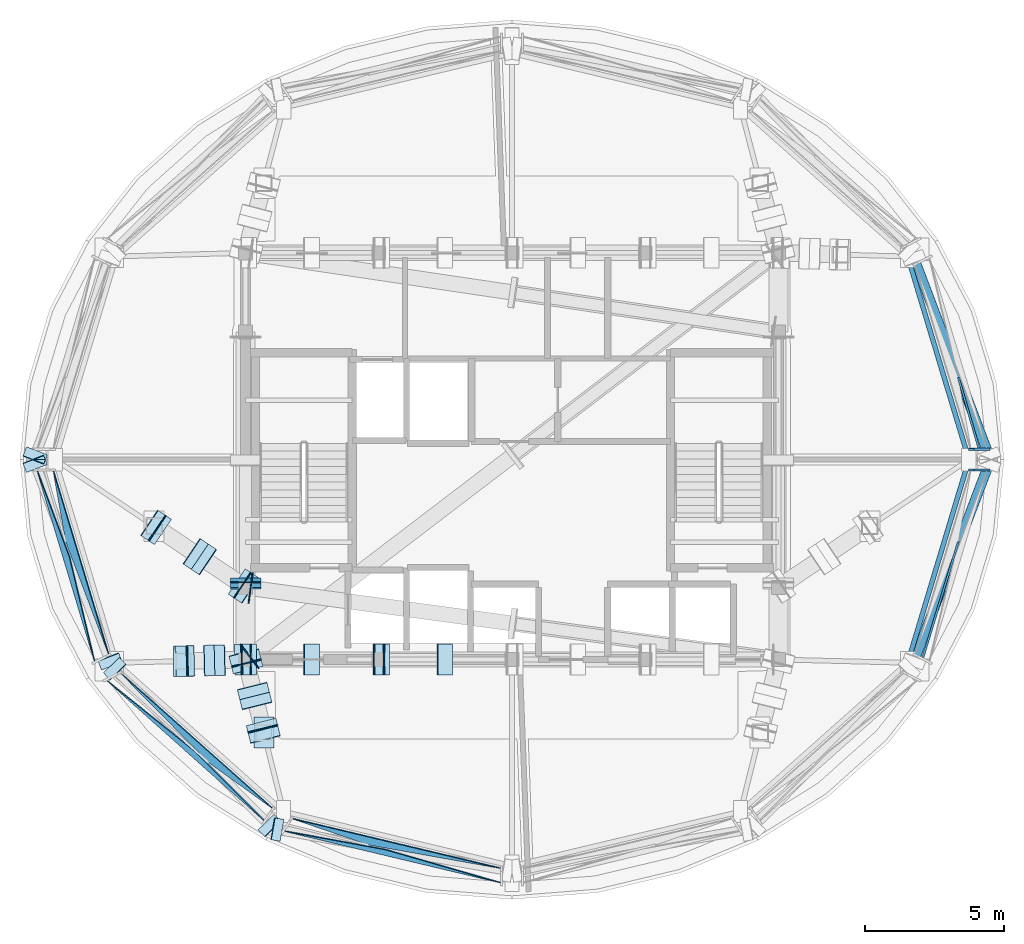
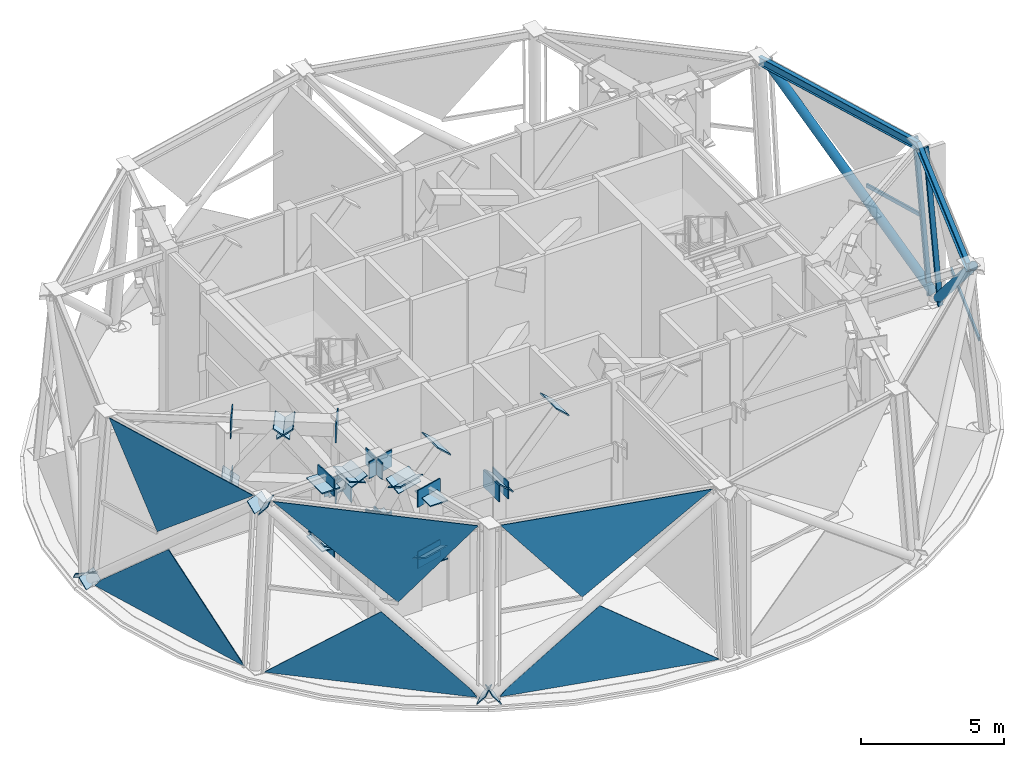
# One storey, part 4 of 12: 51 plates, 6 members, 2 beams, 5 elements without a shape of their own.
"""IFC4 building model written with IfcOpenShell, lengths in metres."""

from ifc_helpers import new_model, si_unit, direction, frame, origin, origin_2d, place, context, subcontext, project, spatial, polyline, rectangle, hollow_rectangle, hollow_circle, i_section, outline, extrude, material, layer, layer_set, material_profile, profile_set, type_object, element, aggregate, save


model = new_model("IFC4")

# Units and contexts
model_context = context("Model", 3, precision=1e-05, world=origin(), true_north=direction((0.0, 1.0)))
body_context = subcontext(model_context, "Body", "Model", "MODEL_VIEW")
ifc_project = project(units=[si_unit("LENGTHUNIT", "METRE"), si_unit("AREAUNIT", "SQUARE_METRE"), si_unit("VOLUMEUNIT", "CUBIC_METRE"), si_unit("PLANEANGLEUNIT", "RADIAN"), si_unit("MASSUNIT", "GRAM", prefix="KILO")], contexts=[model_context])

# Site, building, storey
site_placement = place(None, origin())
site = spatial("IfcSite", under=ifc_project, at=site_placement, CompositionType="ELEMENT")
building_placement = place(site_placement, origin())
building = spatial("IfcBuilding", under=site, at=building_placement, Name="Vantalir Tower", CompositionType="ELEMENT")
storey_placement = place(building_placement, frame((0.0, 0.0, 304.5)))
storey = spatial("IfcBuildingStorey", under=building, at=storey_placement, Name="L76", CompositionType="ELEMENT", Elevation=304.5)

# Beams
ifc_material_1 = material(Name="Steel S460", Category="steel")
ifc_material_profile_1 = material_profile(ifc_material_1, i_section(OverallWidth=0.172119140625, OverallDepth=0.35791015625, WebThickness=0.008056640625, FlangeThickness=0.012939453125, at=origin_2d()), Name="Steel S460")
ifc_profile_set_1 = profile_set([ifc_material_profile_1], Name="Steel S460")
beam_type = type_object("IfcBeamType", Name="BM-RB-356x171", PredefinedType="BEAM", material=ifc_profile_set_1)
for number, where, z_axis, x_axis, name in (
    (1, (47.962890625, 25.0, 6.89111328125), (-0.288522484145, 0.957473120324, 0.0), (-0.957473120324, -0.288522484145, 0.0), "L76 Circumferential Ring Girder 01"),
    (2, (45.757080078125, 17.679931640625, 6.89111328125), (0.288522484145, 0.957473120324, 0.0), (-0.957473120324, 0.288522484145, 0.0), "L76 Circumferential Ring Girder 12"),
):
    element("IfcBeam", number, at=place(storey_placement, frame(where, z_axis=z_axis, x_axis=x_axis)), inside=storey, type_object=beam_type, Name=name, PredefinedType="BEAM", context=body_context, shape_type="SweptSolid", body=[
        extrude(i_section(OverallWidth=0.172119140625, OverallDepth=0.35791015625, WebThickness=0.008056640625, FlangeThickness=0.012939453125, at=origin_2d()), origin(), (0.0, 0.0, 1.0), 7.645263671875),
    ])

# Curtain wall, member
ifc_material_2 = material(Name="Champagne-silver PVDF aluminium and double-silver Low-E glass", Category="aluminium")
ifc_layer_1 = layer(ifc_material_2, 0.25)
ifc_layer_set_1 = layer_set([ifc_layer_1], Name="Champagne-silver PVDF aluminium and double-silver Low-E glass")
curtain_wall_type = type_object("IfcCurtainWallType", Name="CW-CROWN-PT", PredefinedType="USERDEFINED", material=ifc_layer_set_1)
curtain_wall_1_placement = place(storey_placement, origin())
curtain_wall_1 = element("IfcCurtainWall", 3, at=curtain_wall_1_placement, inside=storey, type_object=curtain_wall_type, Name="L76 Quilted Pyramid-Diamond Curtain Wall S01", ObjectType="UNITISED CURTAIN WALL", PredefinedType="USERDEFINED")
ifc_material_3 = material(Name="Champagne-silver PVDF aluminium 6063-T6", Category="aluminium")
ifc_material_profile_2 = material_profile(ifc_material_3, hollow_rectangle(XDim=0.080078125, YDim=0.199951171875, WallThickness=0.0048828125, at=origin_2d()), Name="Champagne-silver PVDF aluminium 6063-T6")
ifc_profile_set_2 = profile_set([ifc_material_profile_2], Name="Champagne-silver PVDF aluminium 6063-T6")
member_type_1 = type_object("IfcMemberType", Name="CWM-200x80", PredefinedType="MULLION", material=ifc_profile_set_2)
member_1_placement = place(storey_placement, frame((48.6279296875, 25.373046875, 0.044921875), z_axis=(-0.083789655369, 0.0, 0.996483463813), x_axis=(0.0, -1.0, 0.0)))
member_1 = element("IfcMember", 4, at=member_1_placement, type_object=member_type_1, Name="CW-L76-S01 Mullion 1", PredefinedType="MULLION", context=body_context, shape_type="SweptSolid", body=[
    extrude(hollow_rectangle(XDim=0.080078125, YDim=0.199951171875, WallThickness=0.0048828125, at=origin_2d()), origin(), (0.0, 0.0, 1.0), 7.004638671875),
])

curtain_wall_2_placement = place(storey_placement, origin())
curtain_wall_2 = element("IfcCurtainWall", 5, at=curtain_wall_2_placement, inside=storey, type_object=curtain_wall_type, Name="L76 Quilted Pyramid-Diamond Curtain Wall S12", ObjectType="UNITISED CURTAIN WALL", PredefinedType="USERDEFINED")
member_2_placement = place(storey_placement, frame((48.6279296875, 24.626953125, 0.044921875), z_axis=(-0.083789655369, 0.0, 0.996483463813), x_axis=(0.0, -1.0, 0.0)))
member_2 = element("IfcMember", 6, at=member_2_placement, type_object=member_type_1, Name="CW-L76-S12 Mullion 2", PredefinedType="MULLION", context=body_context, shape_type="SweptSolid", body=[
    extrude(hollow_rectangle(XDim=0.080078125, YDim=0.199951171875, WallThickness=0.0048828125, at=origin_2d()), origin(), (0.0, 0.0, 1.0), 7.004638671875),
])

# Member
ifc_material_profile_3 = material_profile(ifc_material_3, hollow_rectangle(XDim=0.074951171875, YDim=0.159912109375, WallThickness=0.00390625, at=origin_2d()), Name="Champagne-silver PVDF aluminium 6063-T6")
ifc_profile_set_3 = profile_set([ifc_material_profile_3], Name="Champagne-silver PVDF aluminium 6063-T6")
member_type_2 = type_object("IfcMemberType", Name="CWT-160x75", PredefinedType="USERDEFINED", material=ifc_profile_set_3)
member_3_placement = place(storey_placement, frame((48.333984375, 25.373046875, 3.534912109375), z_axis=(-0.279693916572, 0.960089221392, 0.0), x_axis=(-0.960089221392, -0.279693916572, 0.0)))
member_3 = element("IfcMember", 7, at=member_3_placement, type_object=member_type_2, Name="CW-L76-S01 Pyramid Fold Ridge Transom", ObjectType="TRANSOM", PredefinedType="USERDEFINED", context=body_context, shape_type="SweptSolid", body=[
    extrude(hollow_rectangle(XDim=0.074951171875, YDim=0.159912109375, WallThickness=0.00390625, at=origin_2d()), origin(), (0.0, 0.0, 1.0), 2.695556640625),
])

aggregate(curtain_wall_1, [member_1, member_3])

member_4_placement = place(storey_placement, frame((46.2880859375, 17.826904296875, 3.534912109375), z_axis=(0.293244658179, 0.956037431511, 0.0), x_axis=(-0.956037431511, 0.293244658179, 0.0)))
member_4 = element("IfcMember", 8, at=member_4_placement, type_object=member_type_2, Name="CW-L76-S12 Pyramid Fold Ridge Transom", ObjectType="TRANSOM", PredefinedType="USERDEFINED", context=body_context, shape_type="SweptSolid", body=[
    extrude(hollow_rectangle(XDim=0.074951171875, YDim=0.159912109375, WallThickness=0.00390625, at=origin_2d()), origin(), (0.0, 0.0, 1.0), 4.40576171875),
])

aggregate(curtain_wall_2, [member_2, member_4])

# Members
ifc_material_profile_4 = material_profile(ifc_material_1, hollow_circle(Radius=0.177490234375, WallThickness=0.02001953125, at=origin_2d()), Name="Steel S460")
ifc_profile_set_4 = profile_set([ifc_material_profile_4], Name="Steel S460")
member_type_3 = type_object("IfcMemberType", Name="MEM-DB-355x20", PredefinedType="BRACE", material=ifc_profile_set_4)
for number, where, z_axis, x_axis, name in (
    (9, (48.680908203125, 25.155029296875, 0.22509765625), (-0.267869695363, 0.704904952931, 0.656776090947), (-0.934781020776, -0.355224496899, 0.0), "L76 CROWN FRAME Diagrid Brace R01L"),
    (10, (48.680908203125, 24.844970703125, 0.22509765625), (-0.267869695363, -0.704904952931, 0.656776090947), (0.934781020776, -0.355224496899, 0.0), "L76 CROWN FRAME Diagrid Brace R01R"),
):
    element("IfcMember", number, at=place(storey_placement, frame(where, z_axis=z_axis, x_axis=x_axis)), inside=storey, type_object=member_type_3, Name=name, PredefinedType="BRACE", context=body_context, shape_type="SweptSolid", body=[
        extrude(hollow_circle(Radius=0.177490234375, WallThickness=0.02001953125, at=origin_2d()), origin(), (0.0, 0.0, 1.0), 10.079345703125),
    ])

# Curtain wall, plates
curtain_wall_3_placement = place(storey_placement, origin())
curtain_wall_3 = element("IfcCurtainWall", 11, at=curtain_wall_3_placement, inside=storey, type_object=curtain_wall_type, Name="L76 Quilted Pyramid-Diamond Curtain Wall S07", ObjectType="UNITISED CURTAIN WALL", PredefinedType="USERDEFINED")
ifc_material_4 = material(Name="Faceted crown Low-E glass IGU", Category="glass")
ifc_layer_2 = layer(ifc_material_4, 0.033935546875)
ifc_layer_set_2 = layer_set([ifc_layer_2], Name="Faceted crown Low-E glass IGU")
plate_type_1 = type_object("IfcPlateType", Name="CWP-IGU-CRN-34", PredefinedType="CURTAIN_PANEL", material=ifc_layer_set_2)
plate_1_placement = place(storey_placement, frame((14.376708984375, 24.613037109375, 0.050048828125), z_axis=(-0.954997413284, -0.287364744972, 0.073494516587), x_axis=(0.288136892091, -0.957589223669, -0.0001006392)))
plate_1 = element("IfcPlate", 12, at=plate_1_placement, type_object=plate_type_1, Name="CW-L76-S07 Pyramid Diamond Facet 1L", PredefinedType="CURTAIN_PANEL", context=body_context, shape_type="SweptSolid", body=[
    extrude(outline(polyline([(0.0, 0.0), (7.208580734828691, -2.7647155398380363e-17), (3.33433636468784, 3.0368687363441875), (0.3031407747718152, 0.3809505128534992), (0.0, 0.0)])), origin(), (0.0, 0.0, -1.0), 0.033935546875),
])
plate_2_placement = place(storey_placement, frame((16.961181640625, 17.97216796875, 7.0205078125), z_axis=(-0.953955181381, -0.287043198554, 0.087038578116), x_axis=(-0.288145528503, 0.957586624411, -0.000105612289)))
plate_2 = element("IfcPlate", 13, at=plate_2_placement, type_object=plate_type_1, Name="CW-L76-S07 Pyramid Diamond Facet 2U", PredefinedType="CURTAIN_PANEL", context=body_context, shape_type="SweptSolid", body=[
    extrude(outline(polyline([(0.0, 0.0), (6.935006161675333, -3.686287386450715e-18), (4.33480791923501, 3.483710359966153), (0.0, 0.0)])), origin(), (0.0, 0.0, -1.0), 0.033935546875),
])
aggregate(curtain_wall_3, [plate_1, plate_2])

curtain_wall_4_placement = place(storey_placement, origin())
curtain_wall_4 = element("IfcCurtainWall", 14, at=curtain_wall_4_placement, inside=storey, type_object=curtain_wall_type, Name="L76 Quilted Pyramid-Diamond Curtain Wall S08", ObjectType="UNITISED CURTAIN WALL", PredefinedType="USERDEFINED")
plate_3_placement = place(storey_placement, frame((16.872314453125, 17.05419921875, 0.049072265625), z_axis=(-0.663493878965, -0.744952634524, 0.069436625004), x_axis=(0.746759466525, -0.6650941963, 9.5934364e-05)))
plate_3 = element("IfcPlate", 15, at=plate_3_placement, type_object=plate_type_1, Name="CW-L76-S08 Pyramid Diamond Facet 1L", PredefinedType="CURTAIN_PANEL", context=body_context, shape_type="SweptSolid", body=[
    extrude(outline(polyline([(0.0, 0.0), (7.641079914454455, 2.0274580625478933e-17), (7.351139923939033, 0.348769389270973), (4.150008697434218, 3.040388159549212), (0.0, 0.0)])), origin(), (0.0, 0.0, -1.0), 0.033935546875),
])
plate_4_placement = place(storey_placement, frame((22.870849609375, 12.425537109375, 7.020263671875), z_axis=(-0.662766432912, -0.74420598863, 0.083054812582), x_axis=(-0.74678246686, 0.665068374515, 6.6407227e-05)))
plate_4 = element("IfcPlate", 16, at=plate_4_placement, type_object=plate_type_1, Name="CW-L76-S08 Pyramid Diamond Facet 2U", PredefinedType="CURTAIN_PANEL", context=body_context, shape_type="SweptSolid", body=[
    extrude(outline(polyline([(0.0, 0.0), (7.352833041139266, -3.458604930228759e-17), (2.808689742275363, 3.4829232177288705), (0.0, 0.0)])), origin(), (0.0, 0.0, -1.0), 0.033935546875),
])
aggregate(curtain_wall_4, [plate_3, plate_4])

curtain_wall_5_placement = place(storey_placement, origin())
curtain_wall_5 = element("IfcCurtainWall", 17, at=curtain_wall_5_placement, inside=storey, type_object=curtain_wall_type, Name="L76 Quilted Pyramid-Diamond Curtain Wall S09", ObjectType="UNITISED CURTAIN WALL", PredefinedType="USERDEFINED")
plate_5_placement = place(storey_placement, frame((23.2734375, 11.609375, 0.049560546875), z_axis=(-0.231602660669, -0.970565018604, 0.066058702936), x_axis=(0.972688241841, -0.232115437018, -8.989938e-05)))
plate_5 = element("IfcPlate", 18, at=plate_5_placement, type_object=plate_type_1, Name="CW-L76-S09 Pyramid Diamond Facet 1L", PredefinedType="CURTAIN_PANEL", context=body_context, shape_type="SweptSolid", body=[
    extrude(outline(polyline([(0.0, 0.0), (8.053168529048223, -8.673617379884035e-19), (3.716750632867985, 3.039443789414845), (0.2773858312166678, 0.3124835089575333), (0.0, 0.0)])), origin(), (0.0, 0.0, -1.0), 0.033935546875),
])
plate_6_placement = place(storey_placement, frame((31.1064453125, 10.263671875, 7.02099609375), z_axis=(-0.231351826003, -0.969610861897, 0.079568266897), x_axis=(-0.972696615583, 0.232080341921, -9.448243e-05)))
plate_6 = element("IfcPlate", 19, at=plate_6_placement, type_object=plate_type_1, Name="CW-L76-S09 Pyramid Diamond Facet 2U", PredefinedType="CURTAIN_PANEL", context=body_context, shape_type="SweptSolid", body=[
    extrude(outline(polyline([(0.0, 0.0), (7.751937327965951, -1.8214596497756474e-17), (4.84139455748498, 3.482263072949367), (0.0, 0.0)])), origin(), (0.0, 0.0, -1.0), 0.033935546875),
])
aggregate(curtain_wall_5, [plate_5, plate_6])

# Plates
ifc_layer_3 = layer(ifc_material_1, 0.044921875)
ifc_layer_set_3 = layer_set([ifc_layer_3], Name="Steel S460")
plate_type_2 = type_object("IfcPlateType", Name="PLT-BN-01", PredefinedType="USERDEFINED", material=ifc_layer_set_3)
for number, where, z_axis, x_axis, name in (
    (20, (22.0849609375, 17.800048828125, 3.83984375), (0.0, 0.0, 1.0), (1.0, 0.0, 0.0), "Node Cap Plate MEM-L76-BTCB-01 Start"),
    (21, (26.514892578125, 17.800048828125, 3.83984375), (0.0, 0.0, 1.0), (1.0, 0.0, 0.0), "Node Cap Plate MEM-L76-BTCB-01 End"),
):
    element("IfcPlate", number, at=place(storey_placement, frame(where, z_axis=z_axis, x_axis=x_axis)), inside=storey, type_object=plate_type_2, Name=name, ObjectType="FLANGE_PLATE", PredefinedType="USERDEFINED", context=body_context, shape_type="SweptSolid", body=[
        extrude(rectangle(XDim=0.044921875, YDim=1.10009765625, at=origin_2d()), origin(), (0.0, 0.0, 1.0), 0.719970703125),
    ])
plate_7_placement = place(storey_placement, frame((22.29248046875, 17.25, 4.095458984375), z_axis=(0.675402139581, 0.0, 0.737449625296), x_axis=(0.0, 1.0, 0.0)))
element("IfcPlate", 22, at=plate_7_placement, inside=storey, type_object=plate_type_2, Name="Node Cap Plate MEM-L76-BTDG-01A Start", ObjectType="FLANGE_PLATE", PredefinedType="USERDEFINED", context=body_context, shape_type="SweptSolid", body=[
    extrude(outline(polyline([(0.0, 0.0), (1.10009765625, 0.0), (1.10009765625, 0.720057128189561), (0.0, 0.720057128189561), (0.0, 0.0)])), origin(), (0.0, 0.0, -1.0), 0.044921875),
])
plate_8_placement = place(storey_placement, frame((24.556640625, 17.25, 6.567138671875), z_axis=(0.675571040077, 0.0, 0.737294900165), x_axis=(0.0, 1.0, 0.0)))
element("IfcPlate", 23, at=plate_8_placement, inside=storey, type_object=plate_type_2, Name="Node Cap Plate MEM-L76-BTDG-01A End", ObjectType="FLANGE_PLATE", PredefinedType="USERDEFINED", context=body_context, shape_type="SweptSolid", body=[
    extrude(outline(polyline([(0.0, 0.0), (1.10009765625, 0.0), (1.10009765625, 0.719877105662119), (0.0, 0.719877105662119), (0.0, 0.0)])), origin(), (0.0, 0.0, -1.0), 0.044921875),
])
plate_9_placement = place(storey_placement, frame((26.885009765625, 17.800048828125, 3.83984375), z_axis=(0.0, 0.0, 1.0), x_axis=(1.0, 0.0, 0.0)))
element("IfcPlate", 24, at=plate_9_placement, inside=storey, type_object=plate_type_2, Name="Node Cap Plate MEM-L76-BTCB-02 Start", ObjectType="FLANGE_PLATE", PredefinedType="USERDEFINED", context=body_context, shape_type="SweptSolid", body=[
    extrude(rectangle(XDim=0.044921875, YDim=1.10009765625, at=origin_2d()), origin(), (0.0, 0.0, 1.0), 0.719970703125),
])
for number, where, z_axis, x_axis, name in (
    (25, (27.092529296875, 17.25, 4.095458984375), (0.675402139581, 0.0, 0.737449625296), (0.0, 1.0, 0.0), "Node Cap Plate MEM-L76-BTDG-02A Start"),
    (26, (29.356689453125, 17.25, 6.567138671875), (0.675402139581, 0.0, 0.737449625296), (0.0, 1.0, 0.0), "Node Cap Plate MEM-L76-BTDG-02A End"),
):
    element("IfcPlate", number, at=place(storey_placement, frame(where, z_axis=z_axis, x_axis=x_axis)), inside=storey, type_object=plate_type_2, Name=name, ObjectType="FLANGE_PLATE", PredefinedType="USERDEFINED", context=body_context, shape_type="SweptSolid", body=[
        extrude(outline(polyline([(0.0, 0.0), (1.10009765625, 0.0), (1.10009765625, 0.720057128189561), (0.0, 0.720057128189561), (0.0, 0.0)])), origin(), (0.0, 0.0, -1.0), 0.044921875),
    ])
for number, where, z_axis, x_axis, name in (
    (27, (22.0830078125, 20.375, 3.83984375), (0.0, 0.0, 1.0), (-0.990955115979, 0.134193733514, 0.0), "Node Cap Plate MEM-L76-BTCB-05 End"),
    (28, (21.89990234375, 20.5849609375, 3.83984375), (0.0, 0.0, 1.0), (0.0, 1.0, 0.0), "Node Cap Plate MEM-L76-BTCB-06 Start"),
):
    element("IfcPlate", number, at=place(storey_placement, frame(where, z_axis=z_axis, x_axis=x_axis)), inside=storey, type_object=plate_type_2, Name=name, ObjectType="FLANGE_PLATE", PredefinedType="USERDEFINED", context=body_context, shape_type="SweptSolid", body=[
        extrude(rectangle(XDim=0.044921875, YDim=1.10009765625, at=origin_2d()), origin(), (0.0, 0.0, 1.0), 0.719970703125),
    ])
plate_10_placement = place(storey_placement, frame((22.449951171875, 20.741455078125, 3.980224609375), z_axis=(0.0, 0.869055760291, 0.494714145245), x_axis=(-1.0, 0.0, 0.0)))
element("IfcPlate", 29, at=plate_10_placement, inside=storey, type_object=plate_type_2, Name="Node Cap Plate MEM-L76-BTDG-06A Start", ObjectType="FLANGE_PLATE", PredefinedType="USERDEFINED", context=body_context, shape_type="SweptSolid", body=[
    extrude(outline(polyline([(0.0, 0.0), (1.099853515625, 0.0), (1.099853515625, 0.7200141239105495), (0.0, 0.7200141239105495), (0.0, 0.0)])), origin(), (0.0, 0.0, -1.0), 0.044921875),
])
for number, where, z_axis, x_axis, name in (
    (30, (22.047119140625, 17.912109375, 3.83984375), (0.0, 0.0, 1.0), (-0.795007880656, -0.606599101298, 0.0), "Node Cap Plate MEM-L76-BTCB-14 End"),
    (31, (21.7880859375, 20.47509765625, 3.83984375), (0.0, 0.0, 1.0), (-0.83065421052, 0.556788633636, 0.0), "Node Cap Plate MEM-L76-ORCB-05 Start"),
    (32, (18.718017578125, 22.532958984375, 3.83984375), (0.0, 0.0, 1.0), (-0.83065421052, 0.556788633636, 0.0), "Node Cap Plate MEM-L76-ORCB-05 End"),
    (33, (21.7880859375, 20.47509765625, 6.4599609375), (0.0, 0.0, 1.0), (-0.83065421052, 0.556788633636, 0.0), "Node Cap Plate MEM-L76-ORCT-05 Start"),
    (34, (18.718017578125, 22.532958984375, 6.4599609375), (0.0, 0.0, 1.0), (-0.83065421052, 0.556788633636, 0.0), "Node Cap Plate MEM-L76-ORCT-05 End"),
):
    element("IfcPlate", number, at=place(storey_placement, frame(where, z_axis=z_axis, x_axis=x_axis)), inside=storey, type_object=plate_type_2, Name=name, ObjectType="FLANGE_PLATE", PredefinedType="USERDEFINED", context=body_context, shape_type="SweptSolid", body=[
        extrude(rectangle(XDim=0.044921875, YDim=1.10009765625, at=origin_2d()), origin(), (0.0, 0.0, 1.0), 0.719970703125),
    ])
plate_11_placement = place(storey_placement, frame((21.888671875, 21.06982421875, 4.108642578125), z_axis=(-0.501330642976, 0.336095813822, 0.797312479737), x_axis=(-0.55681683448, -0.83063530623, 2.9734373e-05)))
element("IfcPlate", 35, at=plate_11_placement, inside=storey, type_object=plate_type_2, Name="Node Cap Plate MEM-L76-ORDG-05A Start", ObjectType="FLANGE_PLATE", PredefinedType="USERDEFINED", context=body_context, shape_type="SweptSolid", body=[
    extrude(outline(polyline([(0.0, 0.0), (1.100127292218899, 5.551115123125783e-17), (1.1001007456611454, 0.719949548924691), (0.00017624526505670467, 0.7200579332275001), (0.0, 0.0)])), origin(), (0.0, 0.0, -1.0), 0.044921875),
])
plate_12_placement = place(storey_placement, frame((20.3623046875, 22.0927734375, 6.53662109375), z_axis=(-0.501126219732, 0.335891816218, 0.797526927254), x_axis=(-0.556756831247, -0.830675526692, 1.4626711e-05)))
element("IfcPlate", 36, at=plate_12_placement, inside=storey, type_object=plate_type_2, Name="Node Cap Plate MEM-L76-ORDG-05A End", ObjectType="FLANGE_PLATE", PredefinedType="USERDEFINED", context=body_context, shape_type="SweptSolid", body=[
    extrude(outline(polyline([(0.0, 0.0), (1.0997885629030284, -5.551115123125783e-17), (1.0999997126737349, 0.7199106069698338), (-0.00012757883230612456, 0.7199639443180558), (0.0, 0.0)])), origin(), (0.0, 0.0, -1.0), 0.044921875),
])
plate_13_placement = place(storey_placement, frame((20.1435546875, 20.915283203125, 6.53662109375), z_axis=(0.501151543343, -0.335975744088, 0.797475661064), x_axis=(0.556882105427, 0.830591548098, -2.9735315e-05)))
element("IfcPlate", 37, at=plate_13_placement, inside=storey, type_object=plate_type_2, Name="Node Cap Plate MEM-L76-ORDG-05B Start", ObjectType="FLANGE_PLATE", PredefinedType="USERDEFINED", context=body_context, shape_type="SweptSolid", body=[
    extrude(outline(polyline([(0.0, 0.0), (1.0999245057366187, 0.0), (1.1000297979691611, 0.7199106293493971), (-9.748890712982225e-05, 0.7198022028779472), (0.0, 0.0)])), origin(), (0.0, 0.0, -1.0), 0.044921875),
])
plate_14_placement = place(storey_placement, frame((18.617431640625, 21.938232421875, 4.108642578125), z_axis=(0.501363821888, -0.336006184132, 0.797329393869), x_axis=(0.556770247127, 0.830666533542, -4.4356563e-05)))
element("IfcPlate", 38, at=plate_14_placement, inside=storey, type_object=plate_type_2, Name="Node Cap Plate MEM-L76-ORDG-05B End", ObjectType="FLANGE_PLATE", PredefinedType="USERDEFINED", context=body_context, shape_type="SweptSolid", body=[
    extrude(outline(polyline([(0.0, 0.0), (1.1001272912815532, 0.0), (1.0999648095528864, 0.7201112418133824), (-2.6551492551763306e-05, 0.7199495474921868), (0.0, 0.0)])), origin(), (0.0, 0.0, -1.0), 0.044921875),
])
for number, where, z_axis, x_axis, name in (
    (39, (21.764892578125, 17.7958984375, 3.83984375), (0.0, 0.0, 1.0), (-0.999663238605, -0.025950132584, 0.0), "Node Cap Plate MEM-L76-ORCB-06 Start"),
    (40, (19.800048828125, 17.74609375, 3.83984375), (0.0, 0.0, 1.0), (-0.999663238605, -0.025950132584, 0.0), "Node Cap Plate MEM-L76-ORCB-06 End"),
    (41, (21.764892578125, 17.7958984375, 6.4599609375), (0.0, 0.0, 1.0), (-0.999663238605, -0.025950132584, 0.0), "Node Cap Plate MEM-L76-ORCT-06 Start"),
    (42, (19.800048828125, 17.74609375, 6.4599609375), (0.0, 0.0, 1.0), (-0.999663238605, -0.025950132584, 0.0), "Node Cap Plate MEM-L76-ORCT-06 End"),
):
    element("IfcPlate", number, at=place(storey_placement, frame(where, z_axis=z_axis, x_axis=x_axis)), inside=storey, type_object=plate_type_2, Name=name, ObjectType="FLANGE_PLATE", PredefinedType="USERDEFINED", context=body_context, shape_type="SweptSolid", body=[
        extrude(rectangle(XDim=0.044921875, YDim=1.10009765625, at=origin_2d()), origin(), (0.0, 0.0, 1.0), 0.719970703125),
    ])
plate_15_placement = place(storey_placement, frame((21.49267578125, 18.339599609375, 4.2041015625), z_axis=(-0.392161426193, -0.010187141844, 0.919840006712), x_axis=(0.02596814924, -0.999662770751, 0.0)))
element("IfcPlate", 43, at=plate_15_placement, inside=storey, type_object=plate_type_2, Name="Node Cap Plate MEM-L76-ORDG-06A Start", ObjectType="FLANGE_PLATE", PredefinedType="USERDEFINED", context=body_context, shape_type="SweptSolid", body=[
    extrude(outline(polyline([(0.0, 0.0), (1.0999803205377001, 0.0), (1.1000899950462097, 0.7200490075805425), (0.00010967450850976914, 0.7200490075805425), (0.0, 0.0)])), origin(), (0.0, 0.0, -1.0), 0.044921875),
])
for number, where, z_axis, x_axis, name in (
    (44, (20.4697265625, 18.31298828125, 6.602294921875), (-0.392444976186, -0.010194507596, 0.919718985713), (0.02596814924, -0.999662770751, 0.0), "Node Cap Plate MEM-L76-ORDG-06A End"),
    (45, (21.09521484375, 17.22900390625, 6.602294921875), (0.392444976186, 0.010194507596, 0.919718985713), (-0.02596814924, 0.999662770751, 0.0), "Node Cap Plate MEM-L76-ORDG-06B Start"),
):
    element("IfcPlate", number, at=place(storey_placement, frame(where, z_axis=z_axis, x_axis=x_axis)), inside=storey, type_object=plate_type_2, Name=name, ObjectType="FLANGE_PLATE", PredefinedType="USERDEFINED", context=body_context, shape_type="SweptSolid", body=[
        extrude(outline(polyline([(0.0, 0.0), (1.0999803205377001, -3.469446951953614e-18), (1.0998459367525695, 0.7201506483332419), (-0.00013438378513054526, 0.720150648333242), (0.0, 0.0)])), origin(), (0.0, 0.0, -1.0), 0.044921875),
    ])
plate_16_placement = place(storey_placement, frame((20.072265625, 17.202392578125, 4.2041015625), z_axis=(0.392161426193, 0.010187141844, 0.919840006712), x_axis=(-0.02596814924, 0.999662770751, 0.0)))
element("IfcPlate", 46, at=plate_16_placement, inside=storey, type_object=plate_type_2, Name="Node Cap Plate MEM-L76-ORDG-06B End", ObjectType="FLANGE_PLATE", PredefinedType="USERDEFINED", context=body_context, shape_type="SweptSolid", body=[
    extrude(outline(polyline([(0.0, 0.0), (1.0999803205377001, 0.0), (1.1000899950462097, 0.7200490075805425), (0.00010967450850976914, 0.7200490075805425), (0.0, 0.0)])), origin(), (0.0, 0.0, -1.0), 0.044921875),
])
for number, where, z_axis, x_axis, name in (
    (47, (19.304931640625, 18.2919921875, 4.2880859375), (0.0, 0.0, 1.0), (0.0, -1.0, 0.0), "Node Cap Plate MEM-L76-ORVP-06 Start"),
    (48, (19.304931640625, 18.2919921875, 6.777099609375), (0.0, 0.0, 1.0), (0.0, -1.0, 0.0), "Node Cap Plate MEM-L76-ORVP-06 End"),
):
    element("IfcPlate", number, at=place(storey_placement, frame(where, z_axis=z_axis, x_axis=x_axis)), inside=storey, type_object=plate_type_2, Name=name, ObjectType="FLANGE_PLATE", PredefinedType="USERDEFINED", context=body_context, shape_type="SweptSolid", body=[
        extrude(outline(polyline([(0.0, 0.0), (1.10009765625, 0.0), (1.10009765625, 0.719970703125), (0.0, 0.719970703125), (0.0, 0.0)])), origin(), (0.0, 0.0, -1.0), 0.044921875),
    ])
for number, where, z_axis, x_axis, name in (
    (49, (21.93310546875, 17.6689453125, 3.83984375), (0.0, 0.0, 1.0), (0.24236217691, -0.970185845704, 0.0), "Node Cap Plate MEM-L76-ORCB-07 Start"),
    (50, (22.52392578125, 15.301025390625, 3.83984375), (0.0, 0.0, 1.0), (0.24236217691, -0.970185845704, 0.0), "Node Cap Plate MEM-L76-ORCB-07 End"),
    (51, (21.93310546875, 17.6689453125, 6.4599609375), (0.0, 0.0, 1.0), (0.24236217691, -0.970185845704, 0.0), "Node Cap Plate MEM-L76-ORCT-07 Start"),
    (52, (22.52392578125, 15.301025390625, 6.4599609375), (0.0, 0.0, 1.0), (0.24236217691, -0.970185845704, 0.0), "Node Cap Plate MEM-L76-ORCT-07 End"),
):
    element("IfcPlate", number, at=place(storey_placement, frame(where, z_axis=z_axis, x_axis=x_axis)), inside=storey, type_object=plate_type_2, Name=name, ObjectType="FLANGE_PLATE", PredefinedType="USERDEFINED", context=body_context, shape_type="SweptSolid", body=[
        extrude(rectangle(XDim=0.044921875, YDim=1.10009765625, at=origin_2d()), origin(), (0.0, 0.0, 1.0), 0.719970703125),
    ])
plate_17_placement = place(storey_placement, frame((21.46142578125, 17.2861328125, 4.1748046875), z_axis=(0.1114128651, -0.446059566134, 0.888041686494), x_axis=(0.970194692006, 0.242326762047, 0.0)))
element("IfcPlate", 53, at=plate_17_placement, inside=storey, type_object=plate_type_2, Name="Node Cap Plate MEM-L76-ORDG-07A Start", ObjectType="FLANGE_PLATE", PredefinedType="USERDEFINED", context=body_context, shape_type="SweptSolid", body=[
    extrude(outline(polyline([(0.0, 0.0), (1.1001738324227912, 0.0), (1.100095383433103, 0.7200551786384496), (-7.844898968800695e-05, 0.7200551786384495), (0.0, 0.0)])), origin(), (0.0, 0.0, -1.0), 0.044921875),
])
for number, where, z_axis, x_axis, name in (
    (54, (21.76318359375, 16.078369140625, 6.580810546875), (0.111339496392, -0.445663863306, 0.888249535596), (0.970181656683, 0.242378945115, 0.0), "Node Cap Plate MEM-L76-ORDG-07A End"),
    (55, (22.69384765625, 16.8916015625, 6.580810546875), (-0.111339496392, 0.445663863306, 0.888249535596), (-0.970181656683, -0.242378945115, 0.0), "Node Cap Plate MEM-L76-ORDG-07B Start"),
):
    element("IfcPlate", number, at=place(storey_placement, frame(where, z_axis=z_axis, x_axis=x_axis)), inside=storey, type_object=plate_type_2, Name=name, ObjectType="FLANGE_PLATE", PredefinedType="USERDEFINED", context=body_context, shape_type="SweptSolid", body=[
        extrude(outline(polyline([(0.0, 0.0), (1.0999369700753678, 0.0), (1.099952088847029, 0.7201533506324355), (1.5118771661243313e-05, 0.7201533506324355), (0.0, 0.0)])), origin(), (0.0, 0.0, -1.0), 0.044921875),
    ])
plate_18_placement = place(storey_placement, frame((22.99560546875, 15.683837890625, 4.1748046875), z_axis=(-0.111428925083, 0.446072844321, 0.888033001759), x_axis=(-0.970193314412, -0.242332277154, -1.0979329e-05)))
element("IfcPlate", 56, at=plate_18_placement, inside=storey, type_object=plate_type_2, Name="Node Cap Plate MEM-L76-ORDG-07B End", ObjectType="FLANGE_PLATE", PredefinedType="USERDEFINED", context=body_context, shape_type="SweptSolid", body=[
    extrude(outline(polyline([(0.0, 0.0), (1.100173832338705, -2.7755575615628914e-17), (1.1000953835171834, 0.7200551785099925), (0.00015841478062962822, 0.7200026408728041), (0.0, 0.0)])), origin(), (0.0, 0.0, -1.0), 0.044921875),
])
for number, where, z_axis, x_axis, name in (
    (57, (22.197021484375, 15.719970703125, 4.2880859375), (0.0, 0.0, 1.0), (0.0, -1.0, 0.0), "Node Cap Plate MEM-L76-ORVP-07 Start"),
    (58, (22.197021484375, 15.719970703125, 6.777099609375), (0.0, 0.0, 1.0), (0.0, -1.0, 0.0), "Node Cap Plate MEM-L76-ORVP-07 End"),
):
    element("IfcPlate", number, at=place(storey_placement, frame(where, z_axis=z_axis, x_axis=x_axis)), inside=storey, type_object=plate_type_2, Name=name, ObjectType="FLANGE_PLATE", PredefinedType="USERDEFINED", context=body_context, shape_type="SweptSolid", body=[
        extrude(outline(polyline([(0.0, 0.0), (1.099853515625, 0.0), (1.099853515625, 0.719970703125), (0.0, 0.719970703125), (0.0, 0.0)])), origin(), (0.0, 0.0, -1.0), 0.044921875),
    ])
ifc_layer_4 = layer(ifc_material_1, 0.031982421875)
ifc_layer_set_4 = layer_set([ifc_layer_4], Name="Steel S460")
plate_type_3 = type_object("IfcPlateType", Name="PLT-KN-Z3", PredefinedType="USERDEFINED", material=ifc_layer_set_4)
for number, where, z_axis, x_axis, name in (
    (59, (14.0078125, 24.53759765625, 0.03369140625), (0.267836751355, -0.704797224571, 0.656905127747), (0.934777500246, 0.355233761112, 0.0), "Node Cap Plate MEM-DG-L76-R19L Start"),
    (60, (16.712158203125, 17.42138671875, 6.665283203125), (0.267836751355, -0.704797224571, 0.656905127747), (0.934777500246, 0.355233761112, 0.0), "Node Cap Plate MEM-DG-L76-R19L End"),
):
    element("IfcPlate", number, at=place(storey_placement, frame(where, z_axis=z_axis, x_axis=x_axis)), inside=storey, type_object=plate_type_3, Name=name, ObjectType="FLANGE_PLATE", PredefinedType="USERDEFINED", context=body_context, shape_type="SweptSolid", body=[
        extrude(outline(polyline([(0.0, 0.0), (0.7999793899384687, 2.7755575615628914e-17), (0.7999943659912903, 0.5200315086876426), (1.4976052821538688e-05, 0.5200315086876426), (0.0, 0.0)])), origin(), (0.0, 0.0, -1.0), 0.031982421875),
    ])
plate_19_placement = place(storey_placement, frame((14.755615234375, 25.17822265625, 0.03369140625), z_axis=(0.267836751355, 0.704797224571, 0.656905127747), x_axis=(-0.934777500246, 0.355233761112, 0.0)))
element("IfcPlate", 61, at=plate_19_placement, inside=storey, type_object=plate_type_3, Name="Node Cap Plate MEM-DG-L76-R19R Start", ObjectType="FLANGE_PLATE", PredefinedType="USERDEFINED", context=body_context, shape_type="SweptSolid", body=[
    extrude(outline(polyline([(0.0, 0.0), (0.7999793899384687, -2.7755575615628914e-17), (0.7999644138856472, 0.5200315086876426), (-1.4976052821538688e-05, 0.5200315086876426), (0.0, 0.0)])), origin(), (0.0, 0.0, -1.0), 0.031982421875),
])
plate_20_placement = place(storey_placement, frame((23.144775390625, 11.249755859375, 0.01708984375), z_axis=(0.772885456172, -0.137518986932, 0.619464768869), x_axis=(0.175177964811, 0.98453678481, 0.0)))
element("IfcPlate", 62, at=plate_20_placement, inside=storey, type_object=plate_type_3, Name="Node Cap Plate MEM-DG-L76-R25L Start", ObjectType="FLANGE_PLATE", PredefinedType="USERDEFINED", context=body_context, shape_type="SweptSolid", body=[
    extrude(outline(polyline([(0.0, 0.0), (0.7999677293944487, 0.0), (0.7999364356936082, 0.5199877795957982), (-3.129370084042202e-05, 0.5199877795957982), (0.0, 0.0)])), origin(), (0.0, 0.0, -1.0), 0.031982421875),
])
plate_21_placement = place(storey_placement, frame((22.9248046875, 12.22705078125, 0.02685546875), z_axis=(-0.538721773716, 0.546213775784, 0.641427596591), x_axis=(-0.711972718543, -0.702207126175, 0.0)))
element("IfcPlate", 63, at=plate_21_placement, inside=storey, type_object=plate_type_3, Name="Node Cap Plate MEM-DG-L76-R25R Start", ObjectType="FLANGE_PLATE", PredefinedType="USERDEFINED", context=body_context, shape_type="SweptSolid", body=[
    extrude(outline(polyline([(0.0, 0.0), (0.8000026732638517, 0.0), (0.7997711099926865, 0.5199873850958762), (-0.0002315632711652471, 0.5199873850958762), (0.0, 0.0)])), origin(), (0.0, 0.0, -1.0), 0.031982421875),
])
plate_22_placement = place(storey_placement, frame((17.351318359375, 17.877685546875, 6.664794921875), z_axis=(-0.538720189342, 0.546212169376, 0.641430295216), x_axis=(-0.711972718543, -0.702207126175, 0.0)))
element("IfcPlate", 64, at=plate_22_placement, inside=storey, type_object=plate_type_3, Name="Node Cap Plate MEM-DG-L76-R25R End", ObjectType="FLANGE_PLATE", PredefinedType="USERDEFINED", context=body_context, shape_type="SweptSolid", body=[
    extrude(outline(polyline([(0.0, 0.0), (0.8000026732638517, 0.0), (0.8001163687438383, 0.5199889143765447), (0.0001136954799865617, 0.5199889143765447), (0.0, 0.0)])), origin(), (0.0, 0.0, -1.0), 0.031982421875),
])

save(model, "model.ifc")
